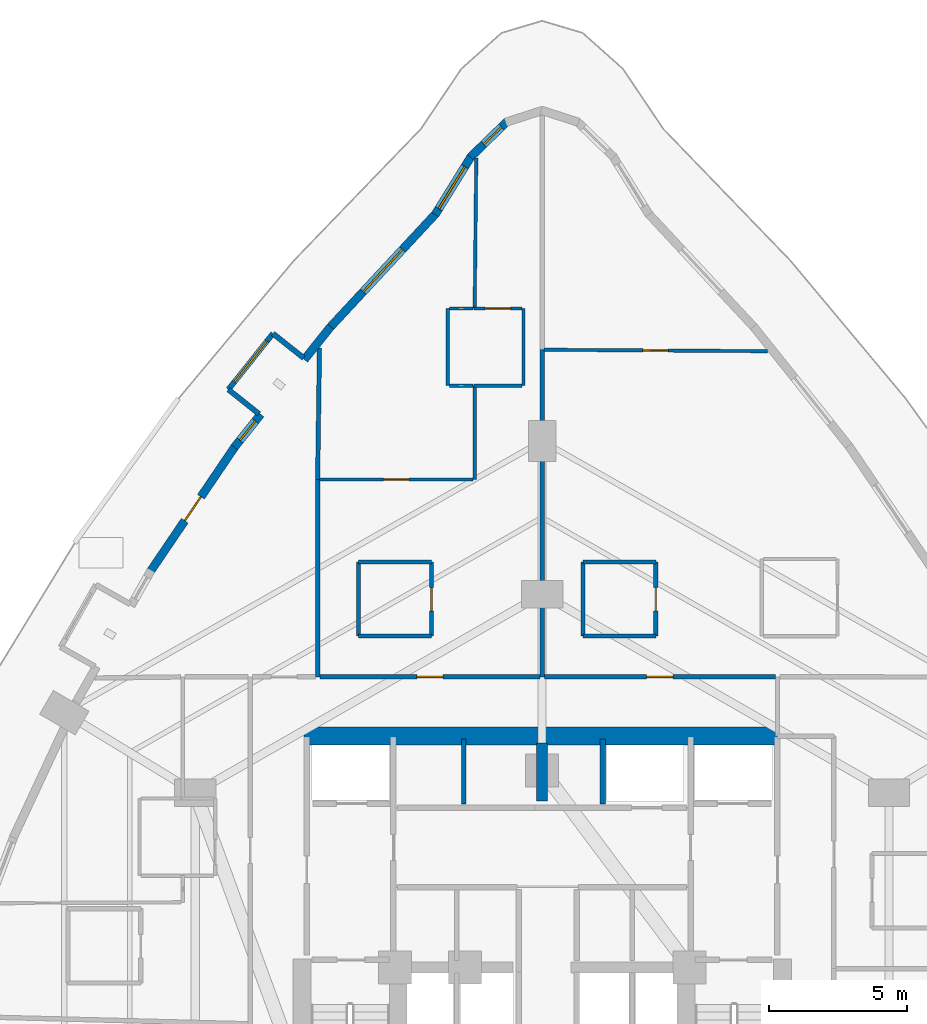
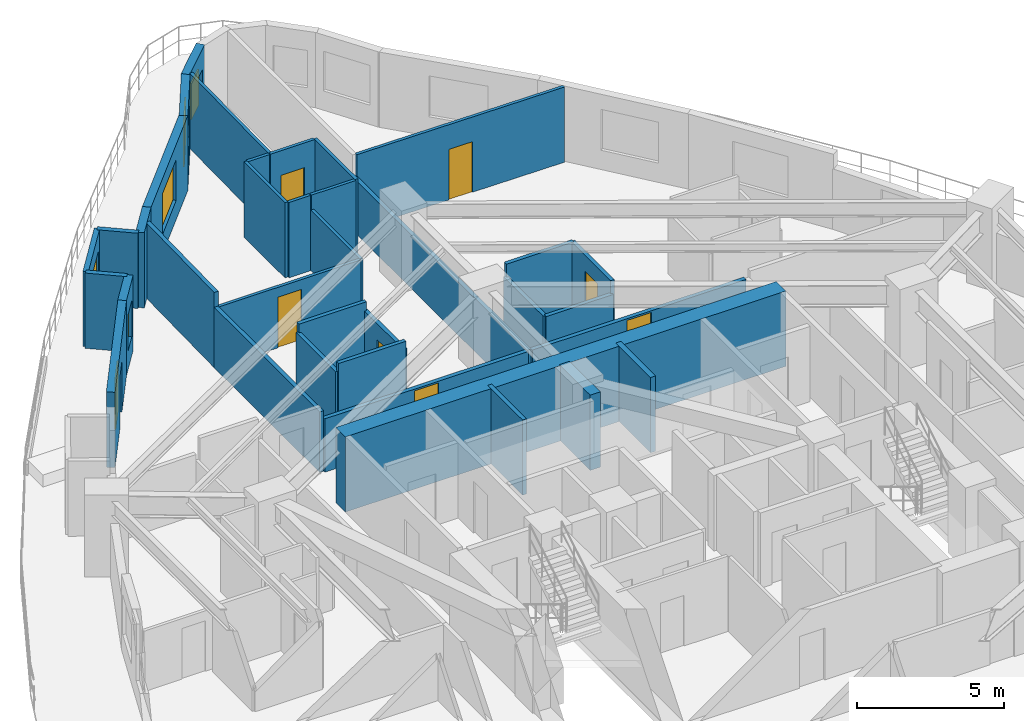
# One storey, part 13 of 17: 36 walls, 8 doors, 5 windows, 13 openings.
"""IFC4 building model written with IfcOpenShell, lengths in metres."""

from ifc_helpers import new_model, si_unit, direction, frame, frame_2d, origin, place, context, subcontext, project, spatial, rectangle, extrude, material, layer, layer_set, type_object, element, fill, save


model = new_model("IFC4")

# Units and contexts
model_context = context("Model", 3, precision=1e-05, world=origin(), true_north=direction((0.0, 1.0)))
body_context = subcontext(model_context, "Body", "Model", "MODEL_VIEW")
ifc_project = project(units=[si_unit("LENGTHUNIT", "METRE"), si_unit("AREAUNIT", "SQUARE_METRE"), si_unit("VOLUMEUNIT", "CUBIC_METRE"), si_unit("PLANEANGLEUNIT", "RADIAN"), si_unit("MASSUNIT", "GRAM", prefix="KILO")], contexts=[model_context])

# Site, building, storey
site_placement = place(None, origin())
site = spatial("IfcSite", under=ifc_project, at=site_placement, CompositionType="ELEMENT")
building_placement = place(site_placement, origin())
building = spatial("IfcBuilding", under=site, at=building_placement, Name="Miruveldt Soraemaru", CompositionType="ELEMENT")
storey_placement = place(building_placement, frame((0.0, 0.0, 29.199951171875)))
storey = spatial("IfcBuildingStorey", under=building, at=storey_placement, Name="L07", CompositionType="ELEMENT", Elevation=29.199951171875)

# Walls
ifc_material_1 = material(Name="White powder-coated aluminium EN AW-6060 T6", Category="aluminium")
ifc_layer_1 = layer(ifc_material_1, 0.18994140625, Name="White powder-coated aluminium EN AW-6060 T6", Category="aluminium")
ifc_layer_set_1 = layer_set([ifc_layer_1], Name="White powder-coated aluminium EN AW-6060 T6")
wall_type_1 = type_object("IfcWallType", Name="WALL-BAY-ALU190", PredefinedType="SOLIDWALL", material=ifc_layer_set_1)
for number, where, z_axis, x_axis, name in (
    (1, (35.338623046875, 66.18359375, 0.0), (0.0, 0.0, 1.0), (-0.781737193764, 0.623608017817, 0.0), "L07 Bay Window Side Cheek 1L"),
    (2, (32.60302734375, 65.039794921875, 0.0), (0.0, 0.0, 1.0), (0.781737193764, -0.623608017817, 0.0), "L07 Bay Window Side Cheek 1R"),
):
    element("IfcWall", number, at=place(storey_placement, frame(where, z_axis=z_axis, x_axis=x_axis)), inside=storey, type_object=wall_type_1, Name=name, PredefinedType="SOLIDWALL", context=body_context, shape_type="SweptSolid", body=[
        extrude(rectangle(XDim=1.425048828125, YDim=0.18994140625, at=frame_2d((0.71240234375, 0.0))), origin(), (0.0, 0.0, 1.0), 3.125),
    ])

# Wall, opening, window
wall_1_placement = place(storey_placement, frame((34.224609375, 67.072265625, 0.0), z_axis=(0.0, 0.0, 1.0), x_axis=(-0.623663926583, -0.781692590907, 0.0)))
wall_1 = element("IfcWall", 3, at=wall_1_placement, inside=storey, type_object=wall_type_1, Name="L07 Bay Window Front Frame 1", PredefinedType="SOLIDWALL", context=body_context, shape_type="SweptSolid", body=[
    extrude(rectangle(XDim=2.60009765625, YDim=0.18994140625, at=frame_2d((1.300048828125, 0.0))), origin(), (0.0, 0.0, 1.0), 3.125),
])
opening_1_placement = place(wall_1_placement, frame((0.35009765625, 0.0, 0.550048828125)))
opening_1 = element("IfcOpeningElement", 4, at=opening_1_placement, cuts=wall_1, Name="Opening WN-6", PredefinedType="OPENING", context=body_context, shape_type="SweptSolid", body=[
    extrude(rectangle(XDim=1.89990234375, YDim=1.85009765625, at=frame_2d((0.949951171875, 0.925048828125))), frame((0.0, 0.10498046875, 0.0), z_axis=(0.0, -1.0, 0.0), x_axis=(1.0, 0.0, 0.0)), (0.0, 0.0, 1.0), 0.2099609375),
])
ifc_material_2 = material(Name="Triple low-e insulated glazing", Category="glass")
window_type_1 = type_object("IfcWindowType", Name="WIN-BAYW-1900x1850", PartitioningType="SINGLE_PANEL", PredefinedType="WINDOW", material=ifc_material_2)
window_1_placement = place(opening_1_placement, origin())
window_1 = element("IfcWindow", 5, at=window_1_placement, inside=storey, type_object=window_type_1, Name="L07 Projecting Bay Window 1", OverallHeight=1.85009765625, OverallWidth=1.89990234375, PartitioningType="SINGLE_PANEL", PredefinedType="WINDOW", context=body_context, shape_type="SweptSolid", body=[
    extrude(rectangle(XDim=1.89990234375, YDim=1.85009765625, at=frame_2d((0.949951171875, 0.925048828125))), frame((0.0, 0.030029296875, 0.0), z_axis=(0.0, -1.0, 0.0), x_axis=(1.0, 0.0, 0.0)), (0.0, 0.0, 1.0), 0.06005859375),
])
fill(opening_1, window_1)

# Walls
ifc_material_3 = material(Name="Concrete C70/85 (70 MPa)", Category="concrete")
ifc_layer_2 = layer(ifc_material_3, 0.5, Name="Concrete C70/85 (70 MPa)", Category="concrete")
ifc_layer_set_2 = layer_set([ifc_layer_2], Name="Concrete C70/85 (70 MPa)")
wall_type_2 = type_object("IfcWallType", Name="WALL-BW-500", PredefinedType="SHEAR", material=ifc_layer_set_2)
wall_2_placement = place(storey_placement, frame((44.0, 50.10009765625, 0.0), z_axis=(0.0, 0.0, 1.0), x_axis=(0.0, 1.0, 0.0)))
element("IfcWall", 6, at=wall_2_placement, inside=storey, type_object=wall_type_2, Name="L07 Core Buttress Shear Wall BN", PredefinedType="SHEAR", context=body_context, shape_type="SweptSolid", body=[
    extrude(rectangle(XDim=2.099853515625, YDim=0.39990234375, at=frame_2d((1.0498046875, 0.0))), origin(), (0.0, 0.0, 1.0), 3.125),
])
ifc_material_4 = material(Name="Concrete C80/95 (80 MPa)", Category="concrete")
ifc_layer_3 = layer(ifc_material_4, 0.64990234375, Name="Concrete C80/95 (80 MPa)", Category="concrete")
ifc_layer_set_3 = layer_set([ifc_layer_3], Name="Concrete C80/95 (80 MPa)")
wall_type_3 = type_object("IfcWallType", Name="WALL-CW-650", PredefinedType="SHEAR", material=ifc_layer_set_3)
wall_3_placement = place(storey_placement, frame((35.35009765625, 52.449951171875, 0.0), z_axis=(0.0, 0.0, 1.0), x_axis=(1.0, 0.0, 0.0)))
element("IfcWall", 7, at=wall_3_placement, inside=storey, type_object=wall_type_3, Name="L07 Central Core Shear Wall N", PredefinedType="SHEAR", context=body_context, shape_type="SweptSolid", body=[
    extrude(rectangle(XDim=17.2998046875, YDim=0.64990234375, at=frame_2d((8.64990234375, 0.0))), origin(), (0.0, 0.0, 1.0), 3.125),
])

# Wall, opening, window
ifc_material_5 = material(Name="Precast concrete C45/55 (45 MPa)", Category="concrete")
ifc_layer_4 = layer(ifc_material_5, 0.300048828125, Name="Precast concrete C45/55 (45 MPa)", Category="concrete")
ifc_layer_set_4 = layer_set([ifc_layer_4], Name="Precast concrete C45/55 (45 MPa)")
wall_type_4 = type_object("IfcWallType", Name="WALL-EXT-PC300", PredefinedType="SOLIDWALL", material=ifc_layer_set_4)
wall_4_placement = place(storey_placement, frame((42.736083984375, 74.78125, 0.0), z_axis=(0.0, 0.0, 1.0), x_axis=(-0.717753754605, -0.696297025521, 0.0)))
wall_4 = element("IfcWall", 8, at=wall_4_placement, inside=storey, type_object=wall_type_4, Name="L07 Precast Concrete Facade Wall 5", PredefinedType="SOLIDWALL", context=body_context, shape_type="SweptSolid", body=[
    extrude(rectangle(XDim=1.865966796875, YDim=0.300048828125, at=frame_2d((0.93310546875, 0.0))), origin(), (0.0, 0.0, 1.0), 3.125),
])
opening_2_placement = place(wall_4_placement, frame((0.294921875, 0.0, 0.780029296875)))
opening_2 = element("IfcOpeningElement", 9, at=opening_2_placement, cuts=wall_4, Name="Opening WN-7", PredefinedType="OPENING", context=body_context, shape_type="SweptSolid", body=[
    extrude(rectangle(XDim=0.89990234375, YDim=1.5, at=frame_2d((0.449951171875, 0.75))), frame((0.0, 0.16015625, 0.0), z_axis=(0.0, -1.0, 0.0), x_axis=(1.0, 0.0, 0.0)), (0.0, 0.0, 1.0), 0.320068359375),
])
window_type_2 = type_object("IfcWindowType", Name="WIN-PUNCH-900x1500", PartitioningType="SINGLE_PANEL", PredefinedType="WINDOW", material=ifc_material_2)
window_2_placement = place(opening_2_placement, origin())
window_2 = element("IfcWindow", 10, at=window_2_placement, inside=storey, type_object=window_type_2, Name="L07 Punched Triple-Glazed Window 05.1", OverallHeight=1.5, OverallWidth=0.89990234375, PartitioningType="SINGLE_PANEL", PredefinedType="WINDOW", context=body_context, shape_type="SweptSolid", body=[
    extrude(rectangle(XDim=0.89990234375, YDim=1.5, at=frame_2d((0.449951171875, 0.75))), frame((0.0, 0.030029296875, 0.0), z_axis=(0.0, -1.0, 0.0), x_axis=(1.0, 0.0, 0.0)), (0.0, 0.0, 1.0), 0.06005859375),
])
fill(opening_2, window_2)

wall_5_placement = place(storey_placement, frame((41.440185546875, 73.5361328125, 0.0), z_axis=(0.0, 0.0, 1.0), x_axis=(-0.526057803578, -0.850448815212, 0.0)))
wall_5 = element("IfcWall", 11, at=wall_5_placement, inside=storey, type_object=wall_type_4, Name="L07 Precast Concrete Facade Wall 6", PredefinedType="SOLIDWALL", context=body_context, shape_type="SweptSolid", body=[
    extrude(rectangle(XDim=2.5205078125, YDim=0.300048828125, at=frame_2d((1.26025390625, 0.0))), origin(), (0.0, 0.0, 1.0), 3.125),
])
opening_3_placement = place(wall_5_placement, frame((0.468994140625, 0.0, 0.800048828125)))
opening_3 = element("IfcOpeningElement", 12, at=opening_3_placement, cuts=wall_5, Name="Opening WN-2", PredefinedType="OPENING", context=body_context, shape_type="SweptSolid", body=[
    extrude(rectangle(XDim=1.800048828125, YDim=1.64990234375, at=frame_2d((0.89990234375, 0.824951171875))), frame((0.0, 0.16015625, 0.0), z_axis=(0.0, -1.0, 0.0), x_axis=(1.0, 0.0, 0.0)), (0.0, 0.0, 1.0), 0.320068359375),
])
window_type_3 = type_object("IfcWindowType", Name="WIN-PUNCH-1800x1650", PartitioningType="SINGLE_PANEL", PredefinedType="WINDOW", material=ifc_material_2)
window_3_placement = place(opening_3_placement, origin())
window_3 = element("IfcWindow", 13, at=window_3_placement, inside=storey, type_object=window_type_3, Name="L07 Punched Triple-Glazed Window 06.1", OverallHeight=1.64990234375, OverallWidth=1.800048828125, PartitioningType="SINGLE_PANEL", PredefinedType="WINDOW", context=body_context, shape_type="SweptSolid", body=[
    extrude(rectangle(XDim=1.800048828125, YDim=1.64990234375, at=frame_2d((0.89990234375, 0.824951171875))), frame((0.0, 0.030029296875, 0.0), z_axis=(0.0, -1.0, 0.0), x_axis=(1.0, 0.0, 0.0)), (0.0, 0.0, 1.0), 0.06005859375),
])
fill(opening_3, window_3)

wall_6_placement = place(storey_placement, frame((40.156494140625, 71.447998046875, 0.0), z_axis=(0.0, 0.0, 1.0), x_axis=(-0.680894211577, -0.732381780659, 0.0)))
wall_6 = element("IfcWall", 14, at=wall_6_placement, inside=storey, type_object=wall_type_4, Name="L07 Precast Concrete Facade Wall 7", PredefinedType="SOLIDWALL", context=body_context, shape_type="SweptSolid", body=[
    extrude(rectangle(XDim=5.704345703125, YDim=0.300048828125, at=frame_2d((2.85205078125, 0.0))), origin(), (0.0, 0.0, 1.0), 3.125),
])
opening_4_placement = place(wall_6_placement, frame((1.802001953125, 0.0, 0.800048828125)))
opening_4 = element("IfcOpeningElement", 15, at=opening_4_placement, cuts=wall_6, Name="Opening WN-1", PredefinedType="OPENING", context=body_context, shape_type="SweptSolid", body=[
    extrude(rectangle(XDim=2.10009765625, YDim=1.699951171875, at=frame_2d((1.050048828125, 0.85009765625))), frame((0.0, 0.16015625, 0.0), z_axis=(0.0, -1.0, 0.0), x_axis=(1.0, 0.0, 0.0)), (0.0, 0.0, 1.0), 0.320068359375),
])
window_type_4 = type_object("IfcWindowType", Name="WIN-PUNCH-2100x1700", PartitioningType="SINGLE_PANEL", PredefinedType="WINDOW", material=ifc_material_2)
window_4_placement = place(opening_4_placement, origin())
window_4 = element("IfcWindow", 16, at=window_4_placement, inside=storey, type_object=window_type_4, Name="L07 Punched Triple-Glazed Window 07.1", OverallHeight=1.699951171875, OverallWidth=2.10009765625, PartitioningType="SINGLE_PANEL", PredefinedType="WINDOW", context=body_context, shape_type="SweptSolid", body=[
    extrude(rectangle(XDim=2.10009765625, YDim=1.699951171875, at=frame_2d((1.050048828125, 0.85009765625))), frame((0.0, 0.030029296875, 0.0), z_axis=(0.0, -1.0, 0.0), x_axis=(1.0, 0.0, 0.0)), (0.0, 0.0, 1.0), 0.06005859375),
])
fill(opening_4, window_4)

# Wall
wall_7_placement = place(storey_placement, frame((36.318115234375, 67.3232421875, 0.0), z_axis=(0.0, 0.0, 1.0), x_axis=(-0.623625498771, -0.781723248524, 0.0)))
element("IfcWall", 17, at=wall_7_placement, inside=storey, type_object=wall_type_4, Name="L07 Precast Pier Wall 8A", PredefinedType="SOLIDWALL", context=body_context, shape_type="SweptSolid", body=[
    extrude(rectangle(XDim=1.531982421875, YDim=0.300048828125, at=frame_2d((0.76611328125, 0.0))), origin(), (0.0, 0.0, 1.0), 3.125),
])

# Wall, opening, window
wall_8_placement = place(storey_placement, frame((33.77880859375, 64.140380859375, 0.0), z_axis=(0.0, 0.0, 1.0), x_axis=(-0.623528092971, -0.781800944791, 0.0)))
wall_8 = element("IfcWall", 18, at=wall_8_placement, inside=storey, type_object=wall_type_4, Name="L07 Precast Pier Wall 8B", PredefinedType="SOLIDWALL", context=body_context, shape_type="SweptSolid", body=[
    extrude(rectangle(XDim=1.53173828125, YDim=0.300048828125, at=frame_2d((0.765869140625, 0.0))), origin(), (0.0, 0.0, 1.0), 3.125),
])
opening_5_placement = place(wall_8_placement, frame((0.31591796875, 0.0, 0.780029296875)))
opening_5 = element("IfcOpeningElement", 19, at=opening_5_placement, cuts=wall_8, Name="Opening WN-7", PredefinedType="OPENING", context=body_context, shape_type="SweptSolid", body=[
    extrude(rectangle(XDim=0.89990234375, YDim=1.5, at=frame_2d((0.449951171875, 0.75))), frame((0.0, 0.16015625, 0.0), z_axis=(0.0, -1.0, 0.0), x_axis=(1.0, 0.0, 0.0)), (0.0, 0.0, 1.0), 0.320068359375),
])
window_5_placement = place(opening_5_placement, origin())
window_5 = element("IfcWindow", 20, at=window_5_placement, inside=storey, type_object=window_type_2, Name="L07 Punched Triple-Glazed Window 08B.1", OverallHeight=1.5, OverallWidth=0.89990234375, PartitioningType="SINGLE_PANEL", PredefinedType="WINDOW", context=body_context, shape_type="SweptSolid", body=[
    extrude(rectangle(XDim=0.89990234375, YDim=1.5, at=frame_2d((0.449951171875, 0.75))), frame((0.0, 0.030029296875, 0.0), z_axis=(0.0, -1.0, 0.0), x_axis=(1.0, 0.0, 0.0)), (0.0, 0.0, 1.0), 0.06005859375),
])
fill(opening_5, window_5)

# Wall, opening, door
wall_9_placement = place(storey_placement, frame((32.864990234375, 62.999267578125, 0.0), z_axis=(0.0, 0.0, 1.0), x_axis=(-0.560813032948, -0.827942475101, 0.0)))
wall_9 = element("IfcWall", 21, at=wall_9_placement, inside=storey, type_object=wall_type_4, Name="L07 Precast Concrete Facade Wall 9", PredefinedType="SOLIDWALL", context=body_context, shape_type="SweptSolid", body=[
    extrude(rectangle(XDim=5.534912109375, YDim=0.300048828125, at=frame_2d((2.767578125, 0.0))), origin(), (0.0, 0.0, 1.0), 3.125),
])
opening_6_placement = place(wall_9_placement, frame((2.242919921875, 0.0, 0.0)))
opening_6 = element("IfcOpeningElement", 22, at=opening_6_placement, cuts=wall_9, Name="Opening TD-1", PredefinedType="OPENING", context=body_context, shape_type="SweptSolid", body=[
    extrude(rectangle(XDim=1.050048828125, YDim=2.14990234375, at=frame_2d((0.52490234375, 1.074951171875))), frame((0.0, 0.16015625, 0.0), z_axis=(0.0, -1.0, 0.0), x_axis=(1.0, 0.0, 0.0)), (0.0, 0.0, 1.0), 0.320068359375),
])
ifc_material_6 = material(Name="Anodised aluminium EN AW-6063 T6", Category="aluminium")
door_type_1 = type_object("IfcDoorType", Name="DOOR-TER-1050", OperationType="NOTDEFINED", PredefinedType="DOOR", material=ifc_material_6)
door_1_placement = place(opening_6_placement, frame((1.050048828125, 0.0, 0.0), z_axis=(0.0, 0.0, 1.0), x_axis=(-1.0, 0.0, 0.0)))
door_1 = element("IfcDoor", 23, at=door_1_placement, inside=storey, type_object=door_type_1, Name="L07 Terrace Access Glazed Door 9", OperationType="SINGLE_SWING_RIGHT", OverallHeight=2.14990234375, OverallWidth=1.050048828125, PredefinedType="DOOR", context=body_context, shape_type="SweptSolid", body=[
    extrude(rectangle(XDim=1.050048828125, YDim=2.14990234375, at=frame_2d((0.52490234375, 1.074951171875))), frame((0.0, 0.02490234375, 0.0), z_axis=(0.0, -1.0, 0.0), x_axis=(1.0, 0.0, 0.0)), (0.0, 0.0, 1.0), 0.050048828125),
])
fill(opening_6, door_1)

ifc_material_7 = material(Name="Gypsum plasterboard lining", Category="gypsum")
ifc_layer_5 = layer(ifc_material_7, 0.1201171875, Name="Gypsum plasterboard lining", Category="gypsum")
ifc_layer_set_5 = layer_set([ifc_layer_5], Name="Gypsum plasterboard lining")
wall_type_5 = type_object("IfcWallType", Name="WALL-INT-P120", PredefinedType="PARTITIONING", material=ifc_layer_set_5)
wall_10_placement = place(storey_placement, frame((52.18310546875, 66.430908203125, 0.0), z_axis=(0.0, 0.0, 1.0), x_axis=(-0.999978732433, 0.006521861774, 0.0)))
wall_10 = element("IfcWall", 24, at=wall_10_placement, inside=storey, type_object=wall_type_5, Name="L07 Partition Wall 39", PredefinedType="PARTITIONING", context=body_context, shape_type="SweptSolid", body=[
    extrude(rectangle(XDim=8.123291015625, YDim=0.1201171875, at=frame_2d((4.0615234375, 0.0))), origin(), (0.0, 0.0, 1.0), 3.125),
])
opening_7_placement = place(wall_10_placement, frame((3.60205078125, 0.0, 0.0)))
opening_7 = element("IfcOpeningElement", 25, at=opening_7_placement, cuts=wall_10, Name="Opening D3A", PredefinedType="OPENING", context=body_context, shape_type="SweptSolid", body=[
    extrude(rectangle(XDim=0.919921875, YDim=2.10009765625, at=frame_2d((0.4599609375, 1.050048828125))), frame((0.0, 0.070068359375, 0.0), z_axis=(0.0, -1.0, 0.0), x_axis=(1.0, 0.0, 0.0)), (0.0, 0.0, 1.0), 0.14013671875),
])
door_type_2 = type_object("IfcDoorType", Name="DOOR-INT-920", OperationType="NOTDEFINED", PredefinedType="DOOR", material=ifc_material_6)
door_2_placement = place(opening_7_placement, origin())
door_2 = element("IfcDoor", 26, at=door_2_placement, inside=storey, type_object=door_type_2, Name="L07 Unit CL03 DIN Door", OperationType="SINGLE_SWING_LEFT", OverallHeight=2.10009765625, OverallWidth=0.919921875, PredefinedType="DOOR", context=body_context, shape_type="SweptSolid", body=[
    extrude(rectangle(XDim=0.919921875, YDim=2.10009765625, at=frame_2d((0.4599609375, 1.050048828125))), frame((0.0, 0.02490234375, 0.0), z_axis=(0.0, -1.0, 0.0), x_axis=(1.0, 0.0, 0.0)), (0.0, 0.0, 1.0), 0.050048828125),
])
fill(opening_7, door_2)

wall_11_placement = place(storey_placement, frame((41.489990234375, 61.77099609375, 0.0), z_axis=(0.0, 0.0, 1.0), x_axis=(-1.0, 0.0, 0.0)))
wall_11 = element("IfcWall", 27, at=wall_11_placement, inside=storey, type_object=wall_type_5, Name="L07 Partition Wall 25", PredefinedType="PARTITIONING", context=body_context, shape_type="SweptSolid", body=[
    extrude(rectangle(XDim=5.583984375, YDim=0.1201171875, at=frame_2d((2.7919921875, 0.0))), origin(), (0.0, 0.0, 1.0), 2.512939453125),
])
opening_8_placement = place(wall_11_placement, frame((2.33203125, 0.0, 0.0)))
opening_8 = element("IfcOpeningElement", 28, at=opening_8_placement, cuts=wall_11, Name="Opening D3A", PredefinedType="OPENING", context=body_context, shape_type="SweptSolid", body=[
    extrude(rectangle(XDim=0.919921875, YDim=2.10009765625, at=frame_2d((0.4599609375, 1.050048828125))), frame((0.0, 0.070068359375, 0.0), z_axis=(0.0, -1.0, 0.0), x_axis=(1.0, 0.0, 0.0)), (0.0, 0.0, 1.0), 0.14013671875),
])
door_3_placement = place(opening_8_placement, origin())
door_3 = element("IfcDoor", 29, at=door_3_placement, inside=storey, type_object=door_type_2, Name="L07 Unit 0702 BD1 Door", OperationType="SINGLE_SWING_LEFT", OverallHeight=2.10009765625, OverallWidth=0.919921875, PredefinedType="DOOR", context=body_context, shape_type="SweptSolid", body=[
    extrude(rectangle(XDim=0.919921875, YDim=2.10009765625, at=frame_2d((0.4599609375, 1.050048828125))), frame((0.0, 0.02490234375, 0.0), z_axis=(0.0, -1.0, 0.0), x_axis=(1.0, 0.0, 0.0)), (0.0, 0.0, 1.0), 0.050048828125),
])
fill(opening_8, door_3)

wall_12_placement = place(storey_placement, frame((43.26611328125, 67.97998046875, 0.0), z_axis=(0.0, 0.0, 1.0), x_axis=(-1.0, 0.0, 0.0)))
wall_12 = element("IfcWall", 30, at=wall_12_placement, inside=storey, type_object=wall_type_5, Name="L07 Partition Wall 21", PredefinedType="PARTITIONING", context=body_context, shape_type="SweptSolid", body=[
    extrude(rectangle(XDim=1.74609375, YDim=0.1201171875, at=frame_2d((0.873046875, 0.0))), origin(), (0.0, 0.0, 1.0), 3.125),
])
opening_9_placement = place(wall_12_placement, frame((0.4130859375, 0.0, 0.0)))
opening_9 = element("IfcOpeningElement", 31, at=opening_9_placement, cuts=wall_12, Name="Opening D3A", PredefinedType="OPENING", context=body_context, shape_type="SweptSolid", body=[
    extrude(rectangle(XDim=0.919921875, YDim=2.10009765625, at=frame_2d((0.4599609375, 1.050048828125))), frame((0.0, 0.070068359375, 0.0), z_axis=(0.0, -1.0, 0.0), x_axis=(1.0, 0.0, 0.0)), (0.0, 0.0, 1.0), 0.14013671875),
])
door_4_placement = place(opening_9_placement, origin())
door_4 = element("IfcDoor", 32, at=door_4_placement, inside=storey, type_object=door_type_2, Name="L07 Unit 0702 KIT Door", OperationType="SINGLE_SWING_RIGHT", OverallHeight=2.10009765625, OverallWidth=0.919921875, PredefinedType="DOOR", context=body_context, shape_type="SweptSolid", body=[
    extrude(rectangle(XDim=0.919921875, YDim=2.10009765625, at=frame_2d((0.4599609375, 1.050048828125))), frame((0.0, 0.02490234375, 0.0), z_axis=(0.0, -1.0, 0.0), x_axis=(1.0, 0.0, 0.0)), (0.0, 0.0, 1.0), 0.050048828125),
])
fill(opening_9, door_4)

# Walls
wall_13_placement = place(storey_placement, frame((41.60888671875, 73.4580078125, 0.0), z_axis=(0.0, 0.0, 1.0), x_axis=(-0.010740088242, -0.999942323589, 0.0)))
element("IfcWall", 33, at=wall_13_placement, inside=storey, type_object=wall_type_5, Name="L07 Partition Wall 23", PredefinedType="PARTITIONING", context=body_context, shape_type="SweptSolid", body=[
    extrude(rectangle(XDim=5.478271484375, YDim=0.1201171875, at=frame_2d((2.7392578125, 0.0))), origin(), (0.0, 0.0, 1.0), 3.125),
])
wall_14_placement = place(storey_placement, frame((41.550048828125, 65.179931640625, 0.0), z_axis=(0.0, 0.0, 1.0), x_axis=(0.0, -1.0, 0.0)))
element("IfcWall", 34, at=wall_14_placement, inside=storey, type_object=wall_type_5, Name="L07 Partition Wall 24", PredefinedType="PARTITIONING", context=body_context, shape_type="SweptSolid", body=[
    extrude(rectangle(XDim=3.408935546875, YDim=0.1201171875, at=frame_2d((1.70458984375, 0.0))), origin(), (0.0, 0.0, 1.0), 2.512939453125),
])
for number, where, z_axis, x_axis, name in (
    (35, (43.325927734375, 65.179931640625, 0.0), (0.0, 0.0, 1.0), (0.0, 1.0, 0.0), "L07 Partition Wall 20"),
    (36, (40.575927734375, 67.97998046875, 0.0), (0.0, 0.0, 1.0), (0.0, -1.0, 0.0), "L07 Partition Wall 29"),
):
    element("IfcWall", number, at=place(storey_placement, frame(where, z_axis=z_axis, x_axis=x_axis)), inside=storey, type_object=wall_type_5, Name=name, PredefinedType="PARTITIONING", context=body_context, shape_type="SweptSolid", body=[
        extrude(rectangle(XDim=2.800048828125, YDim=0.1201171875, at=frame_2d((1.39990234375, 0.0))), origin(), (0.0, 0.0, 1.0), 3.125),
    ])
wall_15_placement = place(storey_placement, frame((41.52001953125, 65.179931640625, 0.0), z_axis=(0.0, 0.0, 1.0), x_axis=(1.0, 0.0, 0.0)))
element("IfcWall", 37, at=wall_15_placement, inside=storey, type_object=wall_type_5, Name="L07 Partition Wall 22", PredefinedType="PARTITIONING", context=body_context, shape_type="SweptSolid", body=[
    extrude(rectangle(XDim=1.74609375, YDim=0.1201171875, at=frame_2d((0.873046875, 0.0))), origin(), (0.0, 0.0, 1.0), 3.125),
])
for number, where, z_axis, x_axis, name in (
    (38, (41.489990234375, 67.97998046875, 0.0), (0.0, 0.0, 1.0), (-1.0, 0.0, 0.0), "L07 Partition Wall 28"),
    (39, (40.635986328125, 65.179931640625, 0.0), (0.0, 0.0, 1.0), (1.0, 0.0, 0.0), "L07 Partition Wall 30"),
):
    element("IfcWall", number, at=place(storey_placement, frame(where, z_axis=z_axis, x_axis=x_axis)), inside=storey, type_object=wall_type_5, Name=name, PredefinedType="PARTITIONING", context=body_context, shape_type="SweptSolid", body=[
        extrude(rectangle(XDim=0.85400390625, YDim=0.1201171875, at=frame_2d((0.427001953125, 0.0))), origin(), (0.0, 0.0, 1.0), 3.125),
    ])

# Wall, opening, door
ifc_layer_6 = layer(ifc_material_7, 0.14990234375, Name="Gypsum plasterboard lining", Category="gypsum")
ifc_layer_set_6 = layer_set([ifc_layer_6], Name="Gypsum plasterboard lining")
wall_type_6 = type_object("IfcWallType", Name="WALL-INT-PLUMB", PredefinedType="PLUMBINGWALL", material=ifc_layer_set_6)
wall_16_placement = place(storey_placement, frame((39.97607421875, 56.080078125, 0.0), z_axis=(0.0, 0.0, 1.0), x_axis=(0.0, 1.0, 0.0)))
wall_16 = element("IfcWall", 40, at=wall_16_placement, inside=storey, type_object=wall_type_6, Name="L07 Partition Wall 16", PredefinedType="PLUMBINGWALL", context=body_context, shape_type="SweptSolid", body=[
    extrude(rectangle(XDim=2.699951171875, YDim=0.14990234375, at=frame_2d((1.35009765625, 0.0))), origin(), (0.0, 0.0, 1.0), 2.762939453125),
])
opening_10_placement = place(wall_16_placement, frame((0.909912109375, 0.0, 0.0)))
opening_10 = element("IfcOpeningElement", 41, at=opening_10_placement, cuts=wall_16, Name="Opening FD3", PredefinedType="OPENING", context=body_context, shape_type="SweptSolid", body=[
    extrude(rectangle(XDim=0.85009765625, YDim=2.10009765625, at=frame_2d((0.425048828125, 1.050048828125))), frame((0.0, 0.0849609375, 0.0), z_axis=(0.0, -1.0, 0.0), x_axis=(1.0, 0.0, 0.0)), (0.0, 0.0, 1.0), 0.169921875),
])
door_type_3 = type_object("IfcDoorType", Name="DOOR-FD3-850", OperationType="NOTDEFINED", PredefinedType="DOOR", material=ifc_material_6)
door_5_placement = place(opening_10_placement, origin())
door_5 = element("IfcDoor", 42, at=door_5_placement, inside=storey, type_object=door_type_3, Name="L07 Unit 0702 BTH Door", OperationType="SINGLE_SWING_LEFT", OverallHeight=2.10009765625, OverallWidth=0.85009765625, PredefinedType="DOOR", context=body_context, shape_type="SweptSolid", body=[
    extrude(rectangle(XDim=0.85009765625, YDim=2.10009765625, at=frame_2d((0.425048828125, 1.050048828125))), frame((0.0, 0.02490234375, 0.0), z_axis=(0.0, -1.0, 0.0), x_axis=(1.0, 0.0, 0.0)), (0.0, 0.0, 1.0), 0.050048828125),
])
fill(opening_10, door_5)

wall_17_placement = place(storey_placement, frame((48.1298828125, 56.080078125, 0.0), z_axis=(0.0, 0.0, 1.0), x_axis=(0.0, 1.0, 0.0)))
wall_17 = element("IfcWall", 43, at=wall_17_placement, inside=storey, type_object=wall_type_6, Name="L07 Partition Wall 31", PredefinedType="PLUMBINGWALL", context=body_context, shape_type="SweptSolid", body=[
    extrude(rectangle(XDim=2.699951171875, YDim=0.14990234375, at=frame_2d((1.35009765625, 0.0))), origin(), (0.0, 0.0, 1.0), 2.762939453125),
])
opening_11_placement = place(wall_17_placement, frame((0.909912109375, 0.0, 0.0)))
opening_11 = element("IfcOpeningElement", 44, at=opening_11_placement, cuts=wall_17, Name="Opening FD3", PredefinedType="OPENING", context=body_context, shape_type="SweptSolid", body=[
    extrude(rectangle(XDim=0.85009765625, YDim=2.10009765625, at=frame_2d((0.425048828125, 1.050048828125))), frame((0.0, 0.0849609375, 0.0), z_axis=(0.0, -1.0, 0.0), x_axis=(1.0, 0.0, 0.0)), (0.0, 0.0, 1.0), 0.169921875),
])
door_6_placement = place(opening_11_placement, origin())
door_6 = element("IfcDoor", 45, at=door_6_placement, inside=storey, type_object=door_type_3, Name="L07 Unit CL03 BTH Door", OperationType="SINGLE_SWING_LEFT", OverallHeight=2.10009765625, OverallWidth=0.85009765625, PredefinedType="DOOR", context=body_context, shape_type="SweptSolid", body=[
    extrude(rectangle(XDim=0.85009765625, YDim=2.10009765625, at=frame_2d((0.425048828125, 1.050048828125))), frame((0.0, 0.02490234375, 0.0), z_axis=(0.0, -1.0, 0.0), x_axis=(1.0, 0.0, 0.0)), (0.0, 0.0, 1.0), 0.050048828125),
])
fill(opening_11, door_6)

# Walls
wall_18_placement = place(storey_placement, frame((37.325927734375, 58.780029296875, 0.0), z_axis=(0.0, 0.0, 1.0), x_axis=(0.0, -1.0, 0.0)))
element("IfcWall", 46, at=wall_18_placement, inside=storey, type_object=wall_type_6, Name="L07 Partition Wall 18", PredefinedType="PLUMBINGWALL", context=body_context, shape_type="SweptSolid", body=[
    extrude(rectangle(XDim=2.699951171875, YDim=0.14990234375, at=frame_2d((1.35009765625, 0.0))), origin(), (0.0, 0.0, 1.0), 2.762939453125),
])
wall_19_placement = place(storey_placement, frame((45.47998046875, 58.780029296875, 0.0), z_axis=(0.0, 0.0, 1.0), x_axis=(0.0, -1.0, 0.0)))
element("IfcWall", 47, at=wall_19_placement, inside=storey, type_object=wall_type_6, Name="L07 Partition Wall 33", PredefinedType="PLUMBINGWALL", context=body_context, shape_type="SweptSolid", body=[
    extrude(rectangle(XDim=2.699951171875, YDim=0.14990234375, at=frame_2d((1.35009765625, 0.0))), origin(), (0.0, 0.0, 1.0), 2.219970703125),
])
wall_20_placement = place(storey_placement, frame((48.1298828125, 58.780029296875, 0.0), z_axis=(0.0, 0.0, 1.0), x_axis=(-1.0, 0.0, 0.0)))
element("IfcWall", 48, at=wall_20_placement, inside=storey, type_object=wall_type_6, Name="L07 Partition Wall 32", PredefinedType="PLUMBINGWALL", context=body_context, shape_type="SweptSolid", body=[
    extrude(rectangle(XDim=2.64990234375, YDim=0.14990234375, at=frame_2d((1.324951171875, 0.0))), origin(), (0.0, 0.0, 1.0), 2.762939453125),
])
wall_21_placement = place(storey_placement, frame((45.47998046875, 56.080078125, 0.0), z_axis=(0.0, 0.0, 1.0), x_axis=(1.0, 0.0, 0.0)))
element("IfcWall", 49, at=wall_21_placement, inside=storey, type_object=wall_type_6, Name="L07 Partition Wall 34", PredefinedType="PLUMBINGWALL", context=body_context, shape_type="SweptSolid", body=[
    extrude(rectangle(XDim=2.64990234375, YDim=0.14990234375, at=frame_2d((1.324951171875, 0.0))), origin(), (0.0, 0.0, 1.0), 2.219970703125),
])
for number, where, z_axis, x_axis, name in (
    (50, (39.97607421875, 58.780029296875, 0.0), (0.0, 0.0, 1.0), (-1.0, 0.0, 0.0), "L07 Partition Wall 17"),
    (51, (37.325927734375, 56.080078125, 0.0), (0.0, 0.0, 1.0), (1.0, 0.0, 0.0), "L07 Partition Wall 19"),
):
    element("IfcWall", number, at=place(storey_placement, frame(where, z_axis=z_axis, x_axis=x_axis)), inside=storey, type_object=wall_type_6, Name=name, PredefinedType="PLUMBINGWALL", context=body_context, shape_type="SweptSolid", body=[
        extrude(rectangle(XDim=2.650146484375, YDim=0.14990234375, at=frame_2d((1.3251953125, 0.0))), origin(), (0.0, 0.0, 1.0), 3.125),
    ])

# Wall, opening, door
ifc_material_8 = material(Name="Concrete C40/50 (40 MPa)", Category="concrete")
ifc_layer_7 = layer(ifc_material_8, 0.159912109375, Name="Concrete C40/50 (40 MPa)", Category="concrete")
ifc_layer_set_7 = layer_set([ifc_layer_7], Name="Concrete C40/50 (40 MPa)")
wall_type_7 = type_object("IfcWallType", Name="WALL-INT-RC160", PredefinedType="SOLIDWALL", material=ifc_layer_set_7)
wall_22_placement = place(storey_placement, frame((52.469970703125, 54.60009765625, 0.0), z_axis=(0.0, 0.0, 1.0), x_axis=(-1.0, 0.0, 0.0)))
wall_22 = element("IfcWall", 52, at=wall_22_placement, inside=storey, type_object=wall_type_7, Name="L07 Partition Wall 3", PredefinedType="SOLIDWALL", context=body_context, shape_type="SweptSolid", body=[
    extrude(rectangle(XDim=8.389892578125, YDim=0.159912109375, at=frame_2d((4.19482421875, 0.0))), origin(), (0.0, 0.0, 1.0), 2.219970703125),
])
opening_12_placement = place(wall_22_placement, frame((3.719970703125, 0.0, 0.0)))
opening_12 = element("IfcOpeningElement", 53, at=opening_12_placement, cuts=wall_22, Name="Opening FD2", PredefinedType="OPENING", context=body_context, shape_type="SweptSolid", body=[
    extrude(rectangle(XDim=0.949951171875, YDim=2.14990234375, at=frame_2d((0.47509765625, 1.074951171875))), frame((0.0, 0.08984375, 0.0), z_axis=(0.0, -1.0, 0.0), x_axis=(1.0, 0.0, 0.0)), (0.0, 0.0, 1.0), 0.179931640625),
])
door_type_4 = type_object("IfcDoorType", Name="DOOR-FD2-950", OperationType="NOTDEFINED", PredefinedType="DOOR", material=ifc_material_6)
door_7_placement = place(opening_12_placement, origin())
door_7 = element("IfcDoor", 54, at=door_7_placement, inside=storey, type_object=door_type_4, Name="L07 Unit CL03 Entrance Fire Door", OperationType="SINGLE_SWING_RIGHT", OverallHeight=2.14990234375, OverallWidth=0.949951171875, PredefinedType="DOOR", context=body_context, shape_type="SweptSolid", body=[
    extrude(rectangle(XDim=0.949951171875, YDim=2.14990234375, at=frame_2d((0.47509765625, 1.074951171875))), frame((0.0, 0.02490234375, 0.0), z_axis=(0.0, -1.0, 0.0), x_axis=(1.0, 0.0, 0.0)), (0.0, 0.0, 1.0), 0.050048828125),
])
fill(opening_12, door_7)

wall_23_placement = place(storey_placement, frame((43.919921875, 54.60009765625, 0.0), z_axis=(0.0, 0.0, 1.0), x_axis=(-1.0, 0.0, 0.0)))
wall_23 = element("IfcWall", 55, at=wall_23_placement, inside=storey, type_object=wall_type_7, Name="L07 Partition Wall 2", PredefinedType="SOLIDWALL", context=body_context, shape_type="SweptSolid", body=[
    extrude(rectangle(XDim=7.993896484375, YDim=0.159912109375, at=frame_2d((3.9970703125, 0.0))), origin(), (0.0, 0.0, 1.0), 2.219970703125),
])
opening_13_placement = place(wall_23_placement, frame((3.52197265625, 0.0, 0.0)))
opening_13 = element("IfcOpeningElement", 56, at=opening_13_placement, cuts=wall_23, Name="Opening FD2", PredefinedType="OPENING", context=body_context, shape_type="SweptSolid", body=[
    extrude(rectangle(XDim=0.949951171875, YDim=2.14990234375, at=frame_2d((0.47509765625, 1.074951171875))), frame((0.0, 0.08984375, 0.0), z_axis=(0.0, -1.0, 0.0), x_axis=(1.0, 0.0, 0.0)), (0.0, 0.0, 1.0), 0.179931640625),
])
door_8_placement = place(opening_13_placement, origin())
door_8 = element("IfcDoor", 57, at=door_8_placement, inside=storey, type_object=door_type_4, Name="L07 Unit 0702 Entrance Fire Door", OperationType="SINGLE_SWING_RIGHT", OverallHeight=2.14990234375, OverallWidth=0.949951171875, PredefinedType="DOOR", context=body_context, shape_type="SweptSolid", body=[
    extrude(rectangle(XDim=0.949951171875, YDim=2.14990234375, at=frame_2d((0.47509765625, 1.074951171875))), frame((0.0, 0.02490234375, 0.0), z_axis=(0.0, -1.0, 0.0), x_axis=(1.0, 0.0, 0.0)), (0.0, 0.0, 1.0), 0.050048828125),
])
fill(opening_13, door_8)

# Walls
wall_24_placement = place(storey_placement, frame((44.0, 54.60009765625, 0.0), z_axis=(0.0, 0.0, 1.0), x_axis=(0.0, 1.0, 0.0)))
element("IfcWall", 58, at=wall_24_placement, inside=storey, type_object=wall_type_7, Name="L07 Partition Wall 26", PredefinedType="SOLIDWALL", context=body_context, shape_type="SweptSolid", body=[
    extrude(rectangle(XDim=11.8837890625, YDim=0.159912109375, at=frame_2d((5.94189453125, 0.0))), origin(), (0.0, 0.0, 1.0), 2.219970703125),
])
wall_25_placement = place(storey_placement, frame((35.845947265625, 54.60009765625, 0.0), z_axis=(0.0, 0.0, 1.0), x_axis=(0.0, 1.0, 0.0)))
element("IfcWall", 59, at=wall_25_placement, inside=storey, type_object=wall_type_7, Name="L07 Partition Wall 12", PredefinedType="SOLIDWALL", context=body_context, shape_type="SweptSolid", body=[
    extrude(rectangle(XDim=7.1708984375, YDim=0.159912109375, at=frame_2d((3.58544921875, 0.0))), origin(), (0.0, 0.0, 1.0), 2.512939453125),
])
wall_26_placement = place(storey_placement, frame((35.845947265625, 61.77099609375, 0.0), z_axis=(0.0, 0.0, 1.0), x_axis=(0.013842862508, 0.999904182988, 0.0)))
element("IfcWall", 60, at=wall_26_placement, inside=storey, type_object=wall_type_7, Name="L07 Partition Wall 13", PredefinedType="SOLIDWALL", context=body_context, shape_type="SweptSolid", body=[
    extrude(rectangle(XDim=4.779541015625, YDim=0.159912109375, at=frame_2d((2.3896484375, 0.0))), origin(), (0.0, 0.0, 1.0), 3.125),
])
wall_27_placement = place(storey_placement, frame((41.14990234375, 49.97998046875, 0.0), z_axis=(0.0, 0.0, 1.0), x_axis=(0.0, 1.0, 0.0)))
element("IfcWall", 61, at=wall_27_placement, inside=storey, type_object=wall_type_7, Name="L07 Core Compartment Wall PLH-DIV1", PredefinedType="SOLIDWALL", context=body_context, shape_type="SweptSolid", body=[
    extrude(rectangle(XDim=2.3701171875, YDim=0.159912109375, at=frame_2d((1.18505859375, 0.0))), origin(), (0.0, 0.0, 1.0), 3.125),
])
ifc_layer_8 = layer(ifc_material_8, 0.199951171875, Name="Concrete C40/50 (40 MPa)", Category="concrete")
ifc_layer_set_8 = layer_set([ifc_layer_8], Name="Concrete C40/50 (40 MPa)")
wall_type_8 = type_object("IfcWallType", Name="WALL-INT-RC200", PredefinedType="SOLIDWALL", material=ifc_layer_set_8)
wall_28_placement = place(storey_placement, frame((46.199951171875, 49.97998046875, 0.0), z_axis=(0.0, 0.0, 1.0), x_axis=(0.0, 1.0, 0.0)))
element("IfcWall", 62, at=wall_28_placement, inside=storey, type_object=wall_type_8, Name="L07 Core Compartment Wall PLH-SL-DIV", PredefinedType="SOLIDWALL", context=body_context, shape_type="SweptSolid", body=[
    extrude(rectangle(XDim=2.3701171875, YDim=0.199951171875, at=frame_2d((1.18505859375, 0.0))), origin(), (0.0, 0.0, 1.0), 3.125),
])

save(model, "model.ifc")
